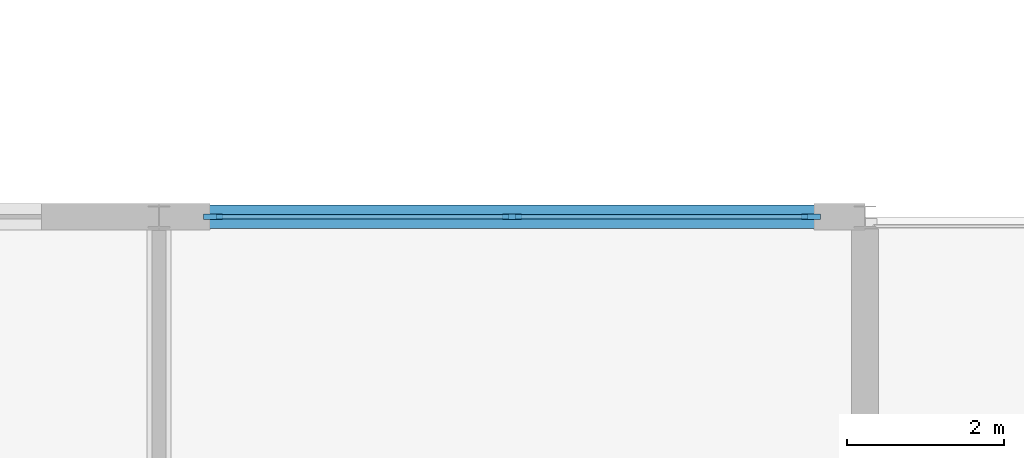
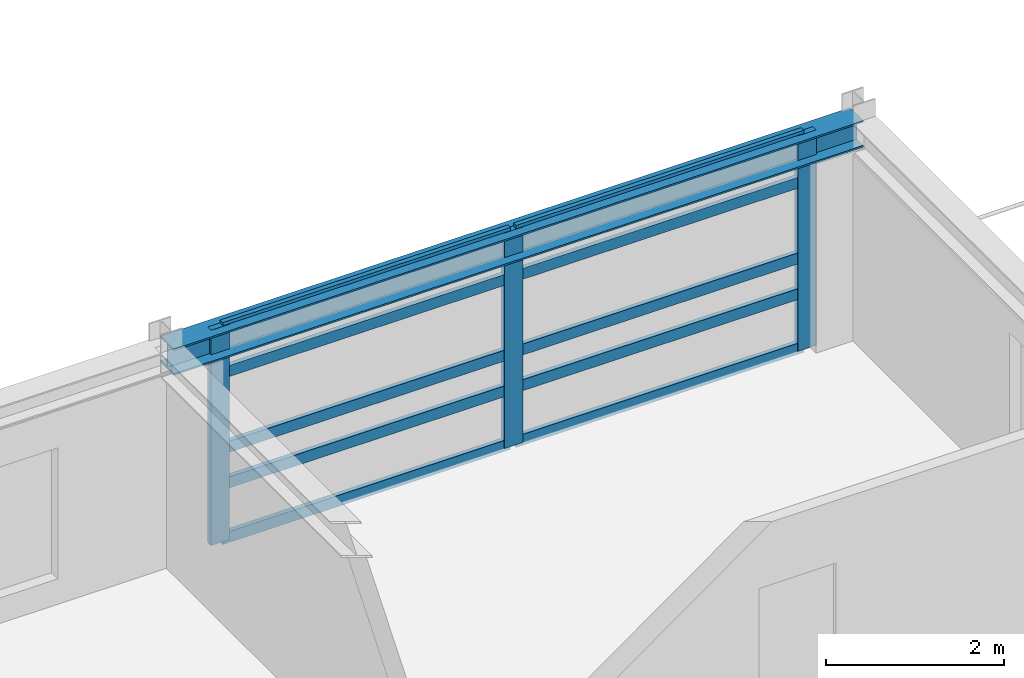
# One storey, part 6 of 18: 13 members, 1 beam, 1 element without a shape of its own.
"""IFC4 building model written with IfcOpenShell, lengths in metres."""

from ifc_helpers import new_model, si_unit, direction, frame, origin, origin_2d, place, context, subcontext, project, spatial, rectangle, i_section, extrude, material, material_profile, profile_set, type_object, element, aggregate, save


model = new_model("IFC4")

# Units and contexts
model_context = context("Model", 3, precision=1e-05, world=origin(), true_north=direction((0.0, 1.0)))
body_context = subcontext(model_context, "Body", "Model", "MODEL_VIEW")
ifc_project = project(units=[si_unit("LENGTHUNIT", "METRE"), si_unit("AREAUNIT", "SQUARE_METRE"), si_unit("VOLUMEUNIT", "CUBIC_METRE"), si_unit("PLANEANGLEUNIT", "RADIAN"), si_unit("MASSUNIT", "GRAM", prefix="KILO")], contexts=[model_context])

# Site, building, storey
site_placement = place(None, origin())
site = spatial("IfcSite", under=ifc_project, at=site_placement, CompositionType="ELEMENT")
building_placement = place(site_placement, origin())
building = spatial("IfcBuilding", under=site, at=building_placement, Name="Palais des Congres Ocreval", CompositionType="ELEMENT")
storey_placement = place(building_placement, frame((0.0, 0.0, 23.679931640625)))
storey = spatial("IfcBuildingStorey", under=building, at=storey_placement, Name="L07", CompositionType="ELEMENT", Elevation=23.679931640625)

# Curtain wall, members
ifc_material_1 = material(Name="Anodized bronze aluminium and low-E glass", Category="glass")
curtain_wall_type = type_object("IfcCurtainWallType", Name="Unitised Curtain Wall 7900x2980", PredefinedType="USERDEFINED", material=ifc_material_1)
curtain_wall_placement = place(storey_placement, origin())
curtain_wall = element("IfcCurtainWall", 1, at=curtain_wall_placement, inside=storey, type_object=curtain_wall_type, Name="Unitised Curtain Wall CW05 L07", ObjectType="UNITISED CURTAIN WALL", PredefinedType="USERDEFINED")
ifc_material_2 = material(Name="Anodized bronze aluminium", Category="aluminium")
ifc_material_profile_1 = material_profile(ifc_material_2, rectangle(XDim=0.074951171875, YDim=0.239990234375, at=origin_2d()), Name="ALU 75x240")
ifc_profile_set_1 = profile_set([ifc_material_profile_1], Name="Anodized bronze aluminium")
member_type_1 = type_object("IfcMemberType", Name="Curtain Wall Mullion ALU 75x240", PredefinedType="MULLION", material=ifc_profile_set_1)
member_1_placement = place(storey_placement, frame((45.6875, 18.0, 0.0), z_axis=(0.0, 0.0, 1.0), x_axis=(0.0, 1.0, 0.0)))
member_1 = element("IfcMember", 2, at=member_1_placement, type_object=member_type_1, Name="Curtain Wall Mullion ML01", PredefinedType="MULLION", context=body_context, shape_type="SweptSolid", body=[
    extrude(rectangle(XDim=0.074951171875, YDim=0.239990234375, at=origin_2d()), origin(), (0.0, 0.0, 1.0), 2.9599609375),
])
member_2_placement = place(storey_placement, frame((49.5, 18.0, 0.0), z_axis=(0.0, 0.0, 1.0), x_axis=(0.0, 1.0, 0.0)))
member_2 = element("IfcMember", 3, at=member_2_placement, type_object=member_type_1, Name="Curtain Wall Mullion ML01", PredefinedType="MULLION", context=body_context, shape_type="SweptSolid", body=[
    extrude(rectangle(XDim=0.074951171875, YDim=0.239990234375, at=origin_2d()), origin(), (0.0, 0.0, 1.0), 2.9599609375),
])
member_3_placement = place(storey_placement, frame((53.3125, 18.0, 0.0), z_axis=(0.0, 0.0, 1.0), x_axis=(0.0, 1.0, 0.0)))
member_3 = element("IfcMember", 4, at=member_3_placement, type_object=member_type_1, Name="Curtain Wall Mullion ML01", PredefinedType="MULLION", context=body_context, shape_type="SweptSolid", body=[
    extrude(rectangle(XDim=0.074951171875, YDim=0.239990234375, at=origin_2d()), origin(), (0.0, 0.0, 1.0), 2.9599609375),
])
ifc_material_profile_2 = material_profile(ifc_material_2, rectangle(XDim=0.06005859375, YDim=0.14990234375, at=origin_2d()), Name="ALU 60x150")
ifc_profile_set_2 = profile_set([ifc_material_profile_2], Name="Anodized bronze aluminium")
member_type_2 = type_object("IfcMemberType", Name="Curtain Wall Transom ALU 60x150", PredefinedType="USERDEFINED", material=ifc_profile_set_2)
member_4_placement = place(storey_placement, frame((45.72509765625, 18.0, 0.030029296875), z_axis=(1.0, 0.0, 0.0), x_axis=(0.0, 1.0, 0.0)))
member_4 = element("IfcMember", 5, at=member_4_placement, type_object=member_type_2, Name="Curtain Wall Transom TR01", ObjectType="TRANSOM", PredefinedType="USERDEFINED", context=body_context, shape_type="SweptSolid", body=[
    extrude(rectangle(XDim=0.06005859375, YDim=0.14990234375, at=origin_2d()), origin(), (0.0, 0.0, 1.0), 3.7373046875),
])
member_5_placement = place(storey_placement, frame((45.72509765625, 18.0, 0.780029296875), z_axis=(1.0, 0.0, 0.0), x_axis=(0.0, 1.0, 0.0)))
member_5 = element("IfcMember", 6, at=member_5_placement, type_object=member_type_2, Name="Curtain Wall Transom TR01", ObjectType="TRANSOM", PredefinedType="USERDEFINED", context=body_context, shape_type="SweptSolid", body=[
    extrude(rectangle(XDim=0.06005859375, YDim=0.14990234375, at=origin_2d()), origin(), (0.0, 0.0, 1.0), 3.7373046875),
])
member_6_placement = place(storey_placement, frame((45.72509765625, 18.0, 1.2705078125), z_axis=(1.0, 0.0, 0.0), x_axis=(0.0, 1.0, 0.0)))
member_6 = element("IfcMember", 7, at=member_6_placement, type_object=member_type_2, Name="Curtain Wall Transom TR01", ObjectType="TRANSOM", PredefinedType="USERDEFINED", context=body_context, shape_type="SweptSolid", body=[
    extrude(rectangle(XDim=0.06005859375, YDim=0.14990234375, at=origin_2d()), origin(), (0.0, 0.0, 1.0), 3.7373046875),
])
member_7_placement = place(storey_placement, frame((45.72509765625, 18.0, 2.31005859375), z_axis=(1.0, 0.0, 0.0), x_axis=(0.0, 1.0, 0.0)))
member_7 = element("IfcMember", 8, at=member_7_placement, type_object=member_type_2, Name="Curtain Wall Transom TR01", ObjectType="TRANSOM", PredefinedType="USERDEFINED", context=body_context, shape_type="SweptSolid", body=[
    extrude(rectangle(XDim=0.06005859375, YDim=0.14990234375, at=origin_2d()), origin(), (0.0, 0.0, 1.0), 3.7373046875),
])
member_8_placement = place(storey_placement, frame((45.72509765625, 18.0, 2.93017578125), z_axis=(1.0, 0.0, 0.0), x_axis=(0.0, 1.0, 0.0)))
member_8 = element("IfcMember", 9, at=member_8_placement, type_object=member_type_2, Name="Curtain Wall Transom TR01", ObjectType="TRANSOM", PredefinedType="USERDEFINED", context=body_context, shape_type="SweptSolid", body=[
    extrude(rectangle(XDim=0.06005859375, YDim=0.14990234375, at=origin_2d()), origin(), (0.0, 0.0, 1.0), 3.7373046875),
])
member_9_placement = place(storey_placement, frame((49.53759765625, 18.0, 0.030029296875), z_axis=(1.0, 0.0, 0.0), x_axis=(0.0, 1.0, 0.0)))
member_9 = element("IfcMember", 10, at=member_9_placement, type_object=member_type_2, Name="Curtain Wall Transom TR01", ObjectType="TRANSOM", PredefinedType="USERDEFINED", context=body_context, shape_type="SweptSolid", body=[
    extrude(rectangle(XDim=0.06005859375, YDim=0.14990234375, at=origin_2d()), origin(), (0.0, 0.0, 1.0), 3.7373046875),
])
member_10_placement = place(storey_placement, frame((49.53759765625, 18.0, 0.780029296875), z_axis=(1.0, 0.0, 0.0), x_axis=(0.0, 1.0, 0.0)))
member_10 = element("IfcMember", 11, at=member_10_placement, type_object=member_type_2, Name="Curtain Wall Transom TR01", ObjectType="TRANSOM", PredefinedType="USERDEFINED", context=body_context, shape_type="SweptSolid", body=[
    extrude(rectangle(XDim=0.06005859375, YDim=0.14990234375, at=origin_2d()), origin(), (0.0, 0.0, 1.0), 3.7373046875),
])
member_11_placement = place(storey_placement, frame((49.53759765625, 18.0, 1.2705078125), z_axis=(1.0, 0.0, 0.0), x_axis=(0.0, 1.0, 0.0)))
member_11 = element("IfcMember", 12, at=member_11_placement, type_object=member_type_2, Name="Curtain Wall Transom TR01", ObjectType="TRANSOM", PredefinedType="USERDEFINED", context=body_context, shape_type="SweptSolid", body=[
    extrude(rectangle(XDim=0.06005859375, YDim=0.14990234375, at=origin_2d()), origin(), (0.0, 0.0, 1.0), 3.7373046875),
])
member_12_placement = place(storey_placement, frame((49.53759765625, 18.0, 2.31005859375), z_axis=(1.0, 0.0, 0.0), x_axis=(0.0, 1.0, 0.0)))
member_12 = element("IfcMember", 13, at=member_12_placement, type_object=member_type_2, Name="Curtain Wall Transom TR01", ObjectType="TRANSOM", PredefinedType="USERDEFINED", context=body_context, shape_type="SweptSolid", body=[
    extrude(rectangle(XDim=0.06005859375, YDim=0.14990234375, at=origin_2d()), origin(), (0.0, 0.0, 1.0), 3.7373046875),
])
member_13_placement = place(storey_placement, frame((49.53759765625, 18.0, 2.93017578125), z_axis=(1.0, 0.0, 0.0), x_axis=(0.0, 1.0, 0.0)))
member_13 = element("IfcMember", 14, at=member_13_placement, type_object=member_type_2, Name="Curtain Wall Transom TR01", ObjectType="TRANSOM", PredefinedType="USERDEFINED", context=body_context, shape_type="SweptSolid", body=[
    extrude(rectangle(XDim=0.06005859375, YDim=0.14990234375, at=origin_2d()), origin(), (0.0, 0.0, 1.0), 3.7373046875),
])
aggregate(curtain_wall, [member_1, member_2, member_3, member_4, member_5, member_6, member_7, member_8, member_9, member_10, member_11, member_12, member_13])

# Beam
ifc_material_3 = material(Name="Steel S355", Category="steel")
ifc_material_profile_3 = material_profile(ifc_material_3, i_section(OverallWidth=0.300048828125, OverallDepth=0.360107421875, WebThickness=0.012451171875, FlangeThickness=0.0224609375, at=origin_2d()), Name="HEB 360")
ifc_profile_set_3 = profile_set([ifc_material_profile_3], Name="Steel S355")
beam_type = type_object("IfcBeamType", Name="Perimeter Spandrel HEB 360 Steel S355", PredefinedType="SPANDREL", material=ifc_profile_set_3)
beam_placement = place(storey_placement, frame((45.02001953125, 18.0, 2.780029296875), z_axis=(1.0, 0.0, 0.0), x_axis=(0.0, 1.0, 0.0)))
element("IfcBeam", 15, at=beam_placement, inside=storey, type_object=beam_type, Name="Beam SP03 L07", PredefinedType="SPANDREL", context=body_context, shape_type="SweptSolid", body=[
    extrude(i_section(OverallWidth=0.300048828125, OverallDepth=0.360107421875, WebThickness=0.012451171875, FlangeThickness=0.0224609375, at=origin_2d()), origin(), (0.0, 0.0, 1.0), 8.9599609375),
])

save(model, "model.ifc")
